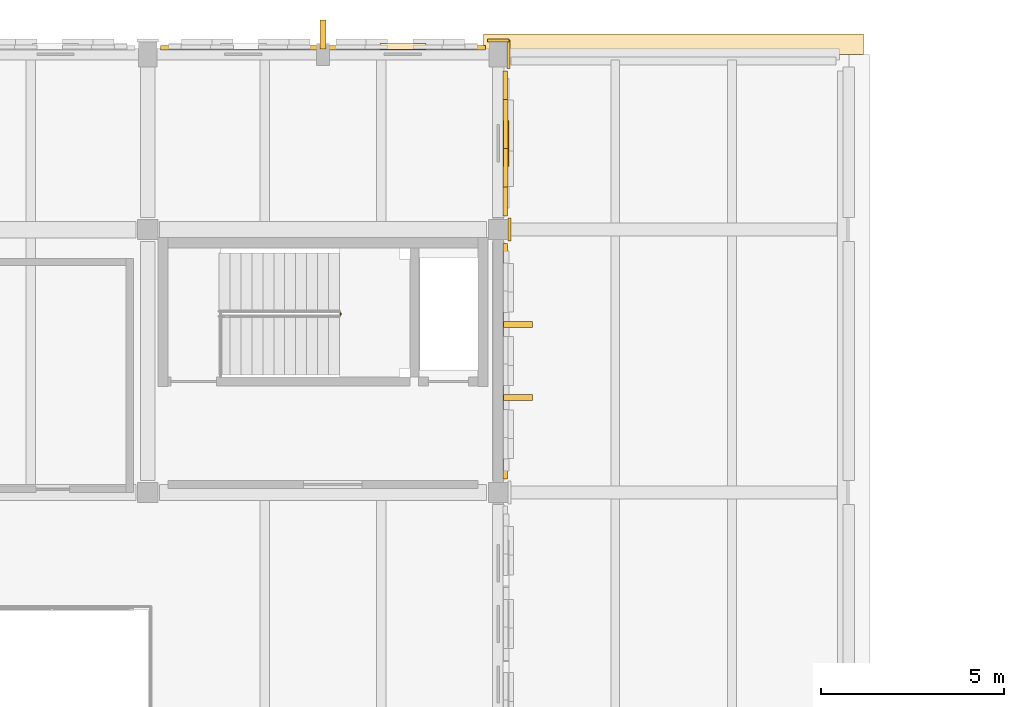
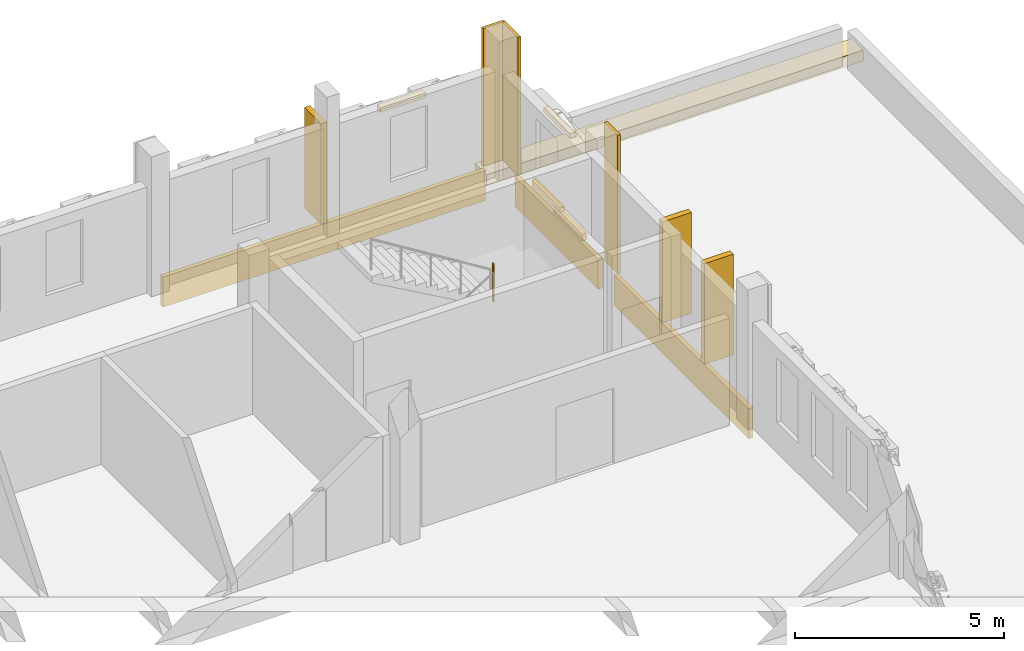
# One storey, part 47 of 50: 14 coverings, 1 railing.
"""IFC4 building model written with IfcOpenShell, lengths in metres."""

from ifc_helpers import new_model, si_unit, direction, frame, origin, origin_2d, place, context, subcontext, project, spatial, rectangle, circle, extrude, material, layer, layer_set, type_object, element, save


model = new_model("IFC4")

# Units and contexts
model_context = context("Model", 3, precision=1e-05, world=origin(), true_north=direction((0.0, 1.0)))
body_context = subcontext(model_context, "Body", "Model", "MODEL_VIEW")
ifc_project = project(units=[si_unit("LENGTHUNIT", "METRE"), si_unit("AREAUNIT", "SQUARE_METRE"), si_unit("VOLUMEUNIT", "CUBIC_METRE"), si_unit("PLANEANGLEUNIT", "RADIAN"), si_unit("MASSUNIT", "GRAM", prefix="KILO")], contexts=[model_context])

# Site, building, storey
site_placement = place(None, origin())
site = spatial("IfcSite", under=ifc_project, at=site_placement, CompositionType="ELEMENT")
building_placement = place(site_placement, origin())
building = spatial("IfcBuilding", under=site, at=building_placement, Name="Asteropetra Specialist Clinic", CompositionType="ELEMENT")
storey_placement = place(building_placement, frame((0.0, 0.0, 16.659912109375)))
storey = spatial("IfcBuildingStorey", under=building, at=storey_placement, Name="L04", CompositionType="ELEMENT", Elevation=16.659912109375)

# Coverings
ifc_material_1 = material(Name="Chevron ivory")
ifc_layer_1 = layer(ifc_material_1, 0.1201171875)
ifc_layer_set_1 = layer_set([ifc_layer_1], Name="Chevron ivory")
covering_type_1 = type_object("IfcCoveringType", Name="CLD-TER-IVORY", PredefinedType="CLADDING", material=ifc_layer_set_1)
covering_1_placement = place(storey_placement, frame((33.60009765625, 110.5849609375, -0.7998046875), z_axis=(0.0, 0.0, 1.0), x_axis=(1.0, 0.0, 0.0)))
element("IfcCovering", 1, at=covering_1_placement, inside=storey, type_object=covering_type_1, Name="Chevron Spandrel Band CV-1615", PredefinedType="CLADDING", context=body_context, shape_type="SweptSolid", body=[
    extrude(rectangle(XDim=8.89990234375, YDim=0.1201171875, at=origin_2d()), origin(), (0.0, 0.0, 1.0), 0.8798828125),
])
covering_2_placement = place(storey_placement, frame((38.5849609375, 102.0, -0.7998046875), z_axis=(0.0, 0.0, 1.0), x_axis=(1.0, 0.0, 0.0)))
element("IfcCovering", 2, at=covering_2_placement, inside=storey, type_object=covering_type_1, Name="Chevron Spandrel Band CV-1683", PredefinedType="CLADDING", context=body_context, shape_type="SweptSolid", body=[
    extrude(rectangle(XDim=0.1201171875, YDim=6.449951171875, at=origin_2d()), origin(), (0.0, 0.0, 1.0), 0.8798828125),
])
covering_3_placement = place(storey_placement, frame((38.5849609375, 107.96240234375, -0.7998046875), z_axis=(0.0, 0.0, 1.0), x_axis=(1.0, 0.0, 0.0)))
element("IfcCovering", 3, at=covering_3_placement, inside=storey, type_object=covering_type_1, Name="Chevron Spandrel Band CV-1695", PredefinedType="CLADDING", context=body_context, shape_type="SweptSolid", body=[
    extrude(rectangle(XDim=0.1201171875, YDim=3.97509765625, at=origin_2d()), origin(), (0.0, 0.0, 1.0), 0.8798828125),
])
for number, where, z_axis, x_axis, name in (
    (4, (38.60009765625, 107.438232421875, 0.1201171875), (0.0, 0.0, 1.0), (1.0, 0.0, 0.0), "Chevron Ceramic Band CV-1696"),
    (5, (38.60009765625, 108.48681640625, 0.26025390625), (0.0, 0.0, 1.0), (1.0, 0.0, 0.0), "Chevron Ceramic Band CV-1697"),
):
    element("IfcCovering", number, at=place(storey_placement, frame(where, z_axis=z_axis, x_axis=x_axis)), inside=storey, type_object=covering_type_1, Name=name, PredefinedType="CLADDING", context=body_context, shape_type="SweptSolid", body=[
        extrude(rectangle(XDim=0.1201171875, YDim=1.343017578125, at=origin_2d()), origin(), (0.0, 0.0, 1.0), 0.199951171875),
    ])
ifc_material_2 = material(Name="Pentelic marble ashlar", Category="masonry")
ifc_layer_2 = layer(ifc_material_2, 0.159912109375)
ifc_layer_set_2 = layer_set([ifc_layer_2], Name="Pentelic marble ashlar")
covering_type_2 = type_object("IfcCoveringType", Name="CRN-ENTAB-600", PredefinedType="MOLDING", material=ifc_layer_set_2)
covering_4_placement = place(storey_placement, frame((38.70703125, 105.60009765625, 0.02001953125), z_axis=(0.0, 0.0, 1.0), x_axis=(1.0, 0.0, 0.0)))
element("IfcCovering", 6, at=covering_4_placement, inside=storey, type_object=covering_type_2, Name="Neoclassical Pilaster Facing CM-0720", PredefinedType="MOLDING", context=body_context, shape_type="SweptSolid", body=[
    extrude(rectangle(XDim=0.080078125, YDim=0.6298828125, at=origin_2d()), origin(), (0.0, 0.0, 1.0), 4.0400390625),
])
covering_5_placement = place(storey_placement, frame((38.39990234375, 110.781982421875, 0.02001953125), z_axis=(0.0, 0.0, 1.0), x_axis=(1.0, 0.0, 0.0)))
element("IfcCovering", 7, at=covering_5_placement, inside=storey, type_object=covering_type_2, Name="Neoclassical Pilaster Facing CM-0721", PredefinedType="MOLDING", context=body_context, shape_type="SweptSolid", body=[
    extrude(rectangle(XDim=0.580078125, YDim=0.080078125, at=origin_2d()), origin(), (0.0, 0.0, 1.0), 4.0400390625),
])
covering_6_placement = place(storey_placement, frame((38.681884765625, 110.39990234375, 0.02001953125), z_axis=(0.0, 0.0, 1.0), x_axis=(1.0, 0.0, 0.0)))
element("IfcCovering", 8, at=covering_6_placement, inside=storey, type_object=covering_type_2, Name="Neoclassical Pilaster Facing CM-0722", PredefinedType="MOLDING", context=body_context, shape_type="SweptSolid", body=[
    extrude(rectangle(XDim=0.080078125, YDim=0.780029296875, at=origin_2d()), origin(), (0.0, 0.0, 1.0), 4.0400390625),
])
covering_7_placement = place(storey_placement, frame((35.783935546875, 110.614990234375, 2.77001953125), z_axis=(0.0, 0.0, 1.0), x_axis=(1.0, 0.0, 0.0)))
element("IfcCovering", 9, at=covering_7_placement, inside=storey, type_object=covering_type_2, Name="Classical Window Hood WH-1613", PredefinedType="MOLDING", context=body_context, shape_type="SweptSolid", body=[
    extrude(rectangle(XDim=1.260009765625, YDim=0.159912109375, at=origin_2d()), origin(), (0.0, 0.0, 1.0), 0.139892578125),
])
covering_8_placement = place(storey_placement, frame((38.614990234375, 107.96240234375, 2.77001953125), z_axis=(0.0, 0.0, 1.0), x_axis=(1.0, 0.0, 0.0)))
element("IfcCovering", 10, at=covering_8_placement, inside=storey, type_object=covering_type_2, Name="Classical Window Hood WH-1694", PredefinedType="MOLDING", context=body_context, shape_type="SweptSolid", body=[
    extrude(rectangle(XDim=0.159912109375, YDim=1.260009765625, at=origin_2d()), origin(), (0.0, 0.0, 1.0), 0.139892578125),
])
covering_9_placement = place(storey_placement, frame((43.199951171875, 110.679931640625, -0.27978515625), z_axis=(0.0, 0.0, 1.0), x_axis=(1.0, 0.0, 0.0)))
element("IfcCovering", 11, at=covering_9_placement, inside=storey, type_object=covering_type_2, Name="Classical Entablature Cornice EC-021", PredefinedType="MOLDING", context=body_context, shape_type="SweptSolid", body=[
    extrude(rectangle(XDim=10.39990234375, YDim=0.56005859375, at=origin_2d()), origin(), (0.0, 0.0, 1.0), 0.320068359375),
])
ifc_material_3 = material(Name="Pentelic marble solar fin", Category="masonry")
ifc_layer_3 = layer(ifc_material_3, 0.080078125)
ifc_layer_set_3 = layer_set([ifc_layer_3], Name="Pentelic marble solar fin")
covering_type_3 = type_object("IfcCoveringType", Name="FIN-SOLAR-800", PredefinedType="MOLDING", material=ifc_layer_set_3)
covering_10_placement = place(storey_placement, frame((33.60009765625, 110.93994140625, 0.070068359375), z_axis=(0.0, 0.0, 1.0), x_axis=(1.0, 0.0, 0.0)))
element("IfcCovering", 12, at=covering_10_placement, inside=storey, type_object=covering_type_3, Name="Solar Shading Fin FN-0114", PredefinedType="MOLDING", context=body_context, shape_type="SweptSolid", body=[
    extrude(rectangle(XDim=0.159912109375, YDim=0.800048828125, at=origin_2d()), origin(), (0.0, 0.0, 1.0), 2.93994140625),
])
for number, where, z_axis, x_axis, name in (
    (13, (38.93994140625, 100.998291015625, 0.070068359375), (0.0, 0.0, 1.0), (1.0, 0.0, 0.0), "Solar Shading Fin FN-0116"),
    (14, (38.93994140625, 103.001708984375, 0.070068359375), (0.0, 0.0, 1.0), (1.0, 0.0, 0.0), "Solar Shading Fin FN-0117"),
):
    element("IfcCovering", number, at=place(storey_placement, frame(where, z_axis=z_axis, x_axis=x_axis)), inside=storey, type_object=covering_type_3, Name=name, PredefinedType="MOLDING", context=body_context, shape_type="SweptSolid", body=[
        extrude(rectangle(XDim=0.800048828125, YDim=0.159912109375, at=origin_2d()), origin(), (0.0, 0.0, 1.0), 2.93994140625),
    ])

# Railing
ifc_material_4 = material(Name="Steel S355 and laminated glass guard", Category="steel")
railing_type = type_object("IfcRailingType", Name="GRD-INT-1120", PredefinedType="GUARDRAIL", material=ifc_material_4)
railing_placement = place(storey_placement, frame((34.080078125, 103.27001953125, 2.0400390625)))
element("IfcRailing", 15, at=railing_placement, inside=storey, type_object=railing_type, Name="Landing Slot Guard ST02-L04", PredefinedType="GUARDRAIL", context=body_context, shape_type="SweptSolid", body=[
    extrude(circle(Radius=0.02392578125, at=origin_2d()), frame((0.0, 0.0, 1.09619140625), z_axis=(0.0, 1.0, 0.0), x_axis=(-1.0, 0.0, 0.0)), (0.0, 0.0, 1.0), 0.0400390625),
    extrude(circle(Radius=0.02099609375, at=origin_2d()), origin(), (0.0, 0.0, 1.0), 1.072021484375),
    extrude(circle(Radius=0.02099609375, at=origin_2d()), frame((0.0, 0.0400390625, 0.0)), (0.0, 0.0, 1.0), 1.072021484375),
])

save(model, "model.ifc")
